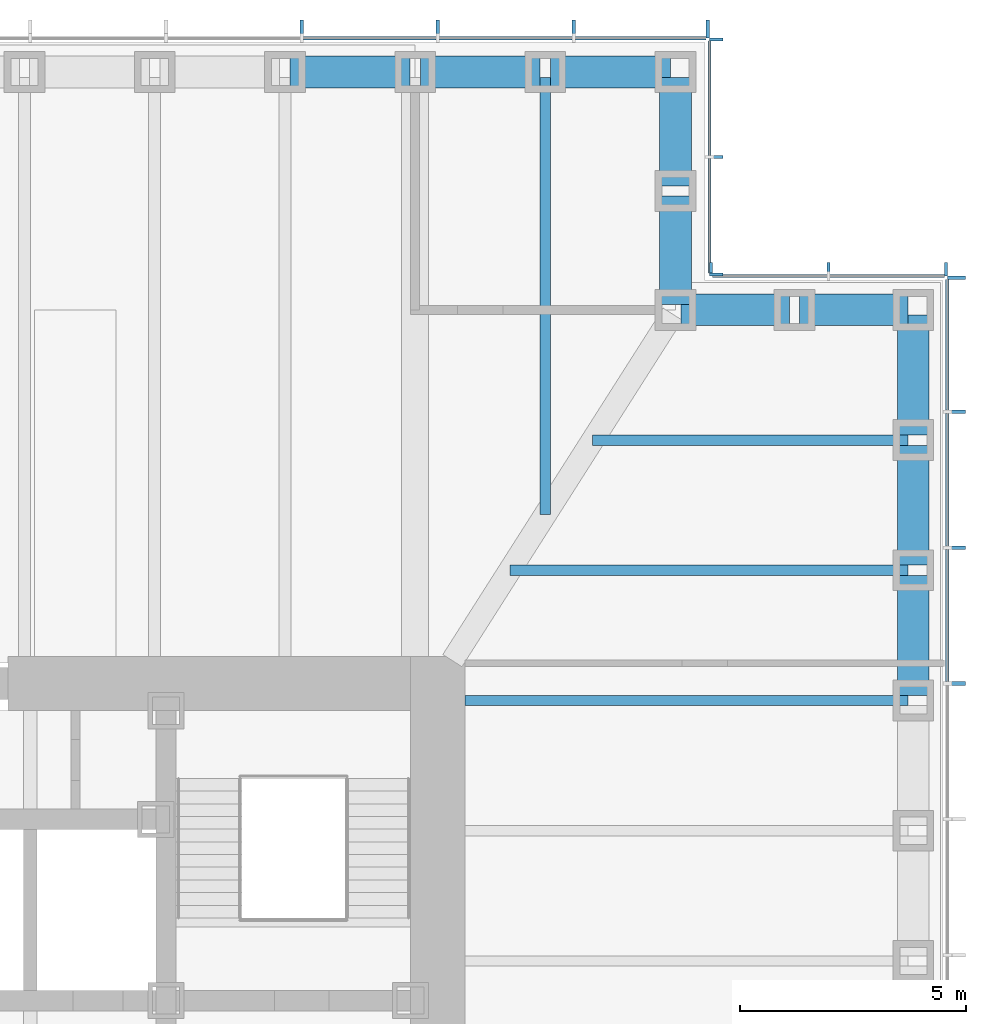
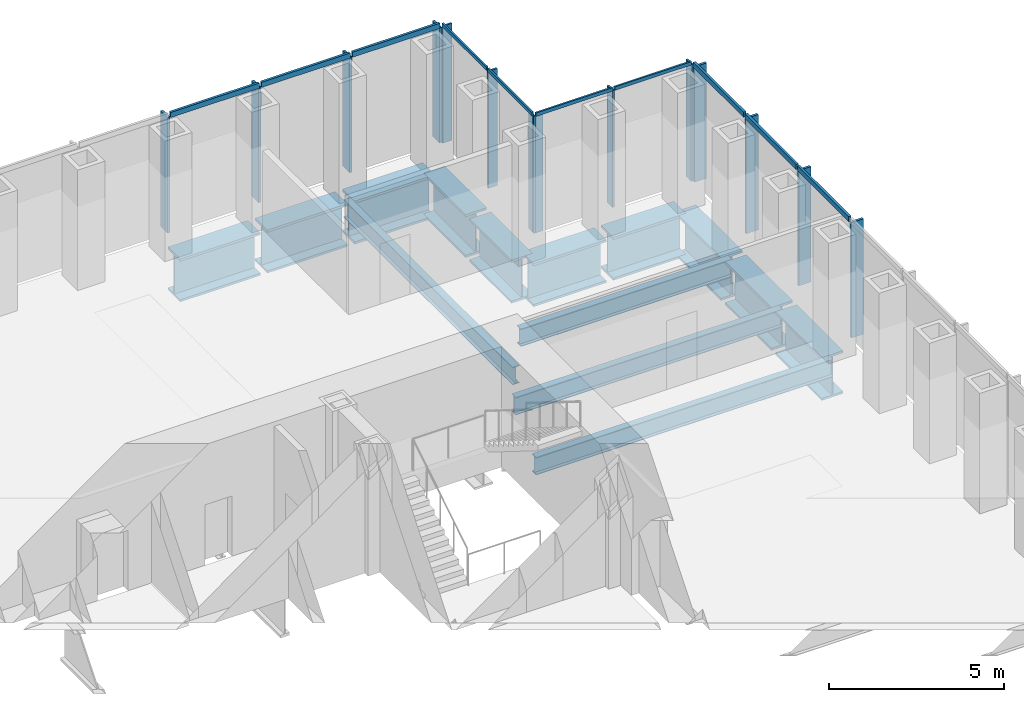
# One storey, part 6 of 16: 24 members, 14 beams, 4 elements without a shape of their own.
"""IFC4 building model written with IfcOpenShell, lengths in metres."""

from ifc_helpers import new_model, si_unit, direction, frame, origin, origin_2d, place, context, subcontext, project, spatial, rectangle, i_section, extrude, material, material_profile, profile_set, type_object, element, aggregate, save


model = new_model("IFC4")

# Units and contexts
model_context = context("Model", 3, precision=1e-05, world=origin(), true_north=direction((0.0, 1.0)))
body_context = subcontext(model_context, "Body", "Model", "MODEL_VIEW")
ifc_project = project(units=[si_unit("LENGTHUNIT", "METRE"), si_unit("AREAUNIT", "SQUARE_METRE"), si_unit("VOLUMEUNIT", "CUBIC_METRE"), si_unit("PLANEANGLEUNIT", "RADIAN"), si_unit("MASSUNIT", "GRAM", prefix="KILO")], contexts=[model_context])

# Site, building, storey
site_placement = place(None, origin())
site = spatial("IfcSite", under=ifc_project, at=site_placement, CompositionType="ELEMENT")
building_placement = place(site_placement, origin())
building = spatial("IfcBuilding", under=site, at=building_placement, Name="Daluyong Arena Tower", CompositionType="ELEMENT")
storey_placement = place(building_placement, frame((0.0, 0.0, 120.699951171875)))
storey = spatial("IfcBuildingStorey", under=building, at=storey_placement, Name="L26", CompositionType="ELEMENT", Elevation=120.699951171875)

# Curtain wall, members
ifc_material_1 = material(Name="Bronze anodised aluminium and glass", Category="aluminium")
curtain_wall_type_1 = type_object("IfcCurtainWallType", Name="Curtain wall CW2", PredefinedType="USERDEFINED", material=ifc_material_1)
curtain_wall_1_placement = place(storey_placement, origin())
curtain_wall_1 = element("IfcCurtainWall", 1, at=curtain_wall_1_placement, inside=storey, type_object=curtain_wall_type_1, Name="curtain wall L26 E", ObjectType="UNITISED CURTAIN WALL", PredefinedType="USERDEFINED")
ifc_material_2 = material(Name="Bronze anodised aluminium fin", Category="aluminium")
ifc_material_profile_1 = material_profile(ifc_material_2, rectangle(XDim=0.39990234375, YDim=0.080078125, at=origin_2d()))
ifc_profile_set_1 = profile_set([ifc_material_profile_1], Name="Bronze anodised aluminium fin")
member_type_1 = type_object("IfcMemberType", Name="CW2 bronze fin 400x80", PredefinedType="MULLION", material=ifc_profile_set_1)
member_1_placement = place(storey_placement, frame((79.449951171875, 89.0, 0.0), z_axis=(0.0, 0.0, 1.0), x_axis=(-1.0, 0.0, 0.0)))
member_1 = element("IfcMember", 2, at=member_1_placement, type_object=member_type_1, Name="curtain wall L26 E fin 10", PredefinedType="MULLION", context=body_context, shape_type="SweptSolid", body=[
    extrude(rectangle(XDim=0.39990234375, YDim=0.080078125, at=origin_2d()), origin(), (0.0, 0.0, 1.0), 4.02001953125),
])
member_2_placement = place(storey_placement, frame((79.449951171875, 92.0, 0.0), z_axis=(0.0, 0.0, 1.0), x_axis=(-1.0, 0.0, 0.0)))
member_2 = element("IfcMember", 3, at=member_2_placement, type_object=member_type_1, Name="curtain wall L26 E fin 11", PredefinedType="MULLION", context=body_context, shape_type="SweptSolid", body=[
    extrude(rectangle(XDim=0.39990234375, YDim=0.080078125, at=origin_2d()), origin(), (0.0, 0.0, 1.0), 4.02001953125),
])
member_3_placement = place(storey_placement, frame((79.449951171875, 95.0, 0.0), z_axis=(0.0, 0.0, 1.0), x_axis=(-1.0, 0.0, 0.0)))
member_3 = element("IfcMember", 4, at=member_3_placement, type_object=member_type_1, Name="curtain wall L26 E fin 12", PredefinedType="MULLION", context=body_context, shape_type="SweptSolid", body=[
    extrude(rectangle(XDim=0.39990234375, YDim=0.080078125, at=origin_2d()), origin(), (0.0, 0.0, 1.0), 4.02001953125),
])
member_4_placement = place(storey_placement, frame((79.449951171875, 97.9599609375, 0.0), z_axis=(0.0, 0.0, 1.0), x_axis=(-1.0, 0.0, 0.0)))
member_4 = element("IfcMember", 5, at=member_4_placement, type_object=member_type_1, Name="curtain wall L26 E fin 13", PredefinedType="MULLION", context=body_context, shape_type="SweptSolid", body=[
    extrude(rectangle(XDim=0.39990234375, YDim=0.080078125, at=origin_2d()), origin(), (0.0, 0.0, 1.0), 4.02001953125),
])

curtain_wall_2_placement = place(storey_placement, origin())
curtain_wall_2 = element("IfcCurtainWall", 6, at=curtain_wall_2_placement, inside=storey, type_object=curtain_wall_type_1, Name="curtain wall L26 N", ObjectType="UNITISED CURTAIN WALL", PredefinedType="USERDEFINED")
member_5_placement = place(storey_placement, frame((73.9599609375, 103.449951171875, 0.0), z_axis=(0.0, 0.0, 1.0), x_axis=(0.0, -1.0, 0.0)))
member_5 = element("IfcMember", 7, at=member_5_placement, type_object=member_type_1, Name="curtain wall L26 N fin 1", PredefinedType="MULLION", context=body_context, shape_type="SweptSolid", body=[
    extrude(rectangle(XDim=0.39990234375, YDim=0.080078125, at=origin_2d()), origin(), (0.0, 0.0, 1.0), 4.02001953125),
])
member_6_placement = place(storey_placement, frame((71.0, 103.449951171875, 0.0), z_axis=(0.0, 0.0, 1.0), x_axis=(0.0, -1.0, 0.0)))
member_6 = element("IfcMember", 8, at=member_6_placement, type_object=member_type_1, Name="curtain wall L26 N fin 2", PredefinedType="MULLION", context=body_context, shape_type="SweptSolid", body=[
    extrude(rectangle(XDim=0.39990234375, YDim=0.080078125, at=origin_2d()), origin(), (0.0, 0.0, 1.0), 4.02001953125),
])
member_7_placement = place(storey_placement, frame((68.0, 103.449951171875, 0.0), z_axis=(0.0, 0.0, 1.0), x_axis=(0.0, -1.0, 0.0)))
member_7 = element("IfcMember", 9, at=member_7_placement, type_object=member_type_1, Name="curtain wall L26 N fin 3", PredefinedType="MULLION", context=body_context, shape_type="SweptSolid", body=[
    extrude(rectangle(XDim=0.39990234375, YDim=0.080078125, at=origin_2d()), origin(), (0.0, 0.0, 1.0), 4.02001953125),
])
member_8_placement = place(storey_placement, frame((65.0, 103.449951171875, 0.0), z_axis=(0.0, 0.0, 1.0), x_axis=(0.0, -1.0, 0.0)))
member_8 = element("IfcMember", 10, at=member_8_placement, type_object=member_type_1, Name="curtain wall L26 N fin 4", PredefinedType="MULLION", context=body_context, shape_type="SweptSolid", body=[
    extrude(rectangle(XDim=0.39990234375, YDim=0.080078125, at=origin_2d()), origin(), (0.0, 0.0, 1.0), 4.02001953125),
])

# Member
ifc_material_3 = material(Name="Bronze anodised aluminium", Category="aluminium")
ifc_material_profile_2 = material_profile(ifc_material_3, rectangle(XDim=0.080078125, YDim=0.179931640625, at=origin_2d()))
ifc_profile_set_2 = profile_set([ifc_material_profile_2], Name="Bronze anodised aluminium")
member_type_2 = type_object("IfcMemberType", Name="CW2 stack transom 180x80", PredefinedType="USERDEFINED", material=ifc_profile_set_2)
member_9_placement = place(storey_placement, frame((79.25, 89.0400390625, 4.110107421875), z_axis=(0.0, 1.0, 0.0), x_axis=(-1.0, 0.0, 0.0)))
member_9 = element("IfcMember", 11, at=member_9_placement, type_object=member_type_2, Name="curtain wall L26 E transom 10", ObjectType="TRANSOM", PredefinedType="USERDEFINED", context=body_context, shape_type="SweptSolid", body=[
    extrude(rectangle(XDim=0.080078125, YDim=0.179931640625, at=origin_2d()), origin(), (0.0, 0.0, 1.0), 2.919921875),
])

member_10_placement = place(storey_placement, frame((79.25, 92.0400390625, 4.110107421875), z_axis=(0.0, 1.0, 0.0), x_axis=(-1.0, 0.0, 0.0)))
member_10 = element("IfcMember", 12, at=member_10_placement, type_object=member_type_2, Name="curtain wall L26 E transom 11", ObjectType="TRANSOM", PredefinedType="USERDEFINED", context=body_context, shape_type="SweptSolid", body=[
    extrude(rectangle(XDim=0.080078125, YDim=0.179931640625, at=origin_2d()), origin(), (0.0, 0.0, 1.0), 2.919921875),
])

member_11_placement = place(storey_placement, frame((79.25, 95.0400390625, 4.110107421875), z_axis=(0.0, 1.0, 0.0), x_axis=(-1.0, 0.0, 0.0)))
member_11 = element("IfcMember", 13, at=member_11_placement, type_object=member_type_2, Name="curtain wall L26 E transom 12", ObjectType="TRANSOM", PredefinedType="USERDEFINED", context=body_context, shape_type="SweptSolid", body=[
    extrude(rectangle(XDim=0.080078125, YDim=0.179931640625, at=origin_2d()), origin(), (0.0, 0.0, 1.0), 2.8798828125),
])

aggregate(curtain_wall_1, [member_1, member_2, member_3, member_4, member_9, member_10, member_11])

member_12_placement = place(storey_placement, frame((73.919921875, 103.25, 4.110107421875), z_axis=(-1.0, 0.0, 0.0), x_axis=(0.0, -1.0, 0.0)))
member_12 = element("IfcMember", 14, at=member_12_placement, type_object=member_type_2, Name="curtain wall L26 N transom 1", ObjectType="TRANSOM", PredefinedType="USERDEFINED", context=body_context, shape_type="SweptSolid", body=[
    extrude(rectangle(XDim=0.080078125, YDim=0.179931640625, at=origin_2d()), origin(), (0.0, 0.0, 1.0), 2.8798828125),
])

member_13_placement = place(storey_placement, frame((70.9599609375, 103.25, 4.110107421875), z_axis=(-1.0, 0.0, 0.0), x_axis=(0.0, -1.0, 0.0)))
member_13 = element("IfcMember", 15, at=member_13_placement, type_object=member_type_2, Name="curtain wall L26 N transom 2", ObjectType="TRANSOM", PredefinedType="USERDEFINED", context=body_context, shape_type="SweptSolid", body=[
    extrude(rectangle(XDim=0.080078125, YDim=0.179931640625, at=origin_2d()), origin(), (0.0, 0.0, 1.0), 2.919921875),
])

member_14_placement = place(storey_placement, frame((67.9599609375, 103.25, 4.110107421875), z_axis=(-1.0, 0.0, 0.0), x_axis=(0.0, -1.0, 0.0)))
member_14 = element("IfcMember", 16, at=member_14_placement, type_object=member_type_2, Name="curtain wall L26 N transom 3", ObjectType="TRANSOM", PredefinedType="USERDEFINED", context=body_context, shape_type="SweptSolid", body=[
    extrude(rectangle(XDim=0.080078125, YDim=0.179931640625, at=origin_2d()), origin(), (0.0, 0.0, 1.0), 2.919921875),
])

aggregate(curtain_wall_2, [member_5, member_6, member_7, member_8, member_12, member_13, member_14])

# Curtain wall, members
ifc_material_4 = material(Name="Bronze anodised aluminium and glass", Category="aluminium")
curtain_wall_type_2 = type_object("IfcCurtainWallType", Name="Curtain wall CW7", PredefinedType="USERDEFINED", material=ifc_material_4)
curtain_wall_3_placement = place(storey_placement, origin())
curtain_wall_3 = element("IfcCurtainWall", 17, at=curtain_wall_3_placement, inside=storey, type_object=curtain_wall_type_2, Name="curtain wall L26 NE-N", ObjectType="UNITISED CURTAIN WALL", PredefinedType="USERDEFINED")
ifc_material_5 = material(Name="Bronze anodised aluminium fin", Category="aluminium")
ifc_material_profile_3 = material_profile(ifc_material_5, rectangle(XDim=0.300048828125, YDim=0.06005859375, at=origin_2d()))
ifc_profile_set_3 = profile_set([ifc_material_profile_3], Name="Bronze anodised aluminium fin")
member_type_3 = type_object("IfcMemberType", Name="CW7 bronze fin 300x60", PredefinedType="MULLION", material=ifc_profile_set_3)
member_15_placement = place(storey_placement, frame((79.219970703125, 98.14990234375, 0.0), z_axis=(0.0, 0.0, 1.0), x_axis=(0.0, -1.0, 0.0)))
member_15 = element("IfcMember", 18, at=member_15_placement, type_object=member_type_3, Name="curtain wall L26 NE-N fin 1", PredefinedType="MULLION", context=body_context, shape_type="SweptSolid", body=[
    extrude(rectangle(XDim=0.300048828125, YDim=0.06005859375, at=origin_2d()), origin(), (0.0, 0.0, 1.0), 4.080078125),
])
member_16_placement = place(storey_placement, frame((76.625, 98.14990234375, 0.0), z_axis=(0.0, 0.0, 1.0), x_axis=(0.0, -1.0, 0.0)))
member_16 = element("IfcMember", 19, at=member_16_placement, type_object=member_type_3, Name="curtain wall L26 NE-N fin 2", PredefinedType="MULLION", context=body_context, shape_type="SweptSolid", body=[
    extrude(rectangle(XDim=0.300048828125, YDim=0.06005859375, at=origin_2d()), origin(), (0.0, 0.0, 1.0), 4.080078125),
])
member_17_placement = place(storey_placement, frame((74.030029296875, 98.14990234375, 0.0), z_axis=(0.0, 0.0, 1.0), x_axis=(0.0, -1.0, 0.0)))
member_17 = element("IfcMember", 20, at=member_17_placement, type_object=member_type_3, Name="curtain wall L26 NE-N fin 3", PredefinedType="MULLION", context=body_context, shape_type="SweptSolid", body=[
    extrude(rectangle(XDim=0.300048828125, YDim=0.06005859375, at=origin_2d()), origin(), (0.0, 0.0, 1.0), 4.080078125),
])

curtain_wall_4_placement = place(storey_placement, origin())
curtain_wall_4 = element("IfcCurtainWall", 21, at=curtain_wall_4_placement, inside=storey, type_object=curtain_wall_type_2, Name="curtain wall L26 NE-E", ObjectType="UNITISED CURTAIN WALL", PredefinedType="USERDEFINED")
member_18_placement = place(storey_placement, frame((74.14990234375, 98.030029296875, 0.0), z_axis=(0.0, 0.0, 1.0), x_axis=(-1.0, 0.0, 0.0)))
member_18 = element("IfcMember", 22, at=member_18_placement, type_object=member_type_3, Name="curtain wall L26 NE-E fin 1", PredefinedType="MULLION", context=body_context, shape_type="SweptSolid", body=[
    extrude(rectangle(XDim=0.300048828125, YDim=0.06005859375, at=origin_2d()), origin(), (0.0, 0.0, 1.0), 4.080078125),
])
member_19_placement = place(storey_placement, frame((74.14990234375, 100.625, 0.0), z_axis=(0.0, 0.0, 1.0), x_axis=(-1.0, 0.0, 0.0)))
member_19 = element("IfcMember", 23, at=member_19_placement, type_object=member_type_3, Name="curtain wall L26 NE-E fin 2", PredefinedType="MULLION", context=body_context, shape_type="SweptSolid", body=[
    extrude(rectangle(XDim=0.300048828125, YDim=0.06005859375, at=origin_2d()), origin(), (0.0, 0.0, 1.0), 4.080078125),
])
member_20_placement = place(storey_placement, frame((74.14990234375, 103.219970703125, 0.0), z_axis=(0.0, 0.0, 1.0), x_axis=(-1.0, 0.0, 0.0)))
member_20 = element("IfcMember", 24, at=member_20_placement, type_object=member_type_3, Name="curtain wall L26 NE-E fin 3", PredefinedType="MULLION", context=body_context, shape_type="SweptSolid", body=[
    extrude(rectangle(XDim=0.300048828125, YDim=0.06005859375, at=origin_2d()), origin(), (0.0, 0.0, 1.0), 4.080078125),
])

# Member
ifc_material_6 = material(Name="Bronze anodised aluminium", Category="aluminium")
ifc_material_profile_4 = material_profile(ifc_material_6, rectangle(XDim=0.06005859375, YDim=0.1201171875, at=origin_2d()))
ifc_profile_set_4 = profile_set([ifc_material_profile_4], Name="Bronze anodised aluminium")
member_type_4 = type_object("IfcMemberType", Name="CW7 stack transom 120x60", PredefinedType="USERDEFINED", material=ifc_profile_set_4)
member_21_placement = place(storey_placement, frame((79.18994140625, 98.0, 4.14013671875), z_axis=(-1.0, 0.0, 0.0), x_axis=(0.0, -1.0, 0.0)))
member_21 = element("IfcMember", 25, at=member_21_placement, type_object=member_type_4, Name="curtain wall L26 NE-N transom 1", ObjectType="TRANSOM", PredefinedType="USERDEFINED", context=body_context, shape_type="SweptSolid", body=[
    extrude(rectangle(XDim=0.06005859375, YDim=0.1201171875, at=origin_2d()), origin(), (0.0, 0.0, 1.0), 2.534912109375),
])

member_22_placement = place(storey_placement, frame((76.594970703125, 98.0, 4.14013671875), z_axis=(-1.0, 0.0, 0.0), x_axis=(0.0, -1.0, 0.0)))
member_22 = element("IfcMember", 26, at=member_22_placement, type_object=member_type_4, Name="curtain wall L26 NE-N transom 2", ObjectType="TRANSOM", PredefinedType="USERDEFINED", context=body_context, shape_type="SweptSolid", body=[
    extrude(rectangle(XDim=0.06005859375, YDim=0.1201171875, at=origin_2d()), origin(), (0.0, 0.0, 1.0), 2.534912109375),
])

aggregate(curtain_wall_3, [member_15, member_16, member_17, member_21, member_22])

member_23_placement = place(storey_placement, frame((74.0, 98.06005859375, 4.14013671875), z_axis=(0.0, 1.0, 0.0), x_axis=(-1.0, 0.0, 0.0)))
member_23 = element("IfcMember", 27, at=member_23_placement, type_object=member_type_4, Name="curtain wall L26 NE-E transom 1", ObjectType="TRANSOM", PredefinedType="USERDEFINED", context=body_context, shape_type="SweptSolid", body=[
    extrude(rectangle(XDim=0.06005859375, YDim=0.1201171875, at=origin_2d()), origin(), (0.0, 0.0, 1.0), 2.534912109375),
])

member_24_placement = place(storey_placement, frame((74.0, 100.655029296875, 4.14013671875), z_axis=(0.0, 1.0, 0.0), x_axis=(-1.0, 0.0, 0.0)))
member_24 = element("IfcMember", 28, at=member_24_placement, type_object=member_type_4, Name="curtain wall L26 NE-E transom 2", ObjectType="TRANSOM", PredefinedType="USERDEFINED", context=body_context, shape_type="SweptSolid", body=[
    extrude(rectangle(XDim=0.06005859375, YDim=0.1201171875, at=origin_2d()), origin(), (0.0, 0.0, 1.0), 2.534912109375),
])

aggregate(curtain_wall_4, [member_18, member_19, member_20, member_23, member_24])

# Beams
ifc_material_7 = material(Name="Steel ASTM A992 Grade 50", Category="steel")
ifc_material_profile_5 = material_profile(ifc_material_7, i_section(OverallWidth=0.22900390625, OverallDepth=0.612060546875, WebThickness=0.011962890625, FlangeThickness=0.01953125, at=origin_2d()))
ifc_profile_set_5 = profile_set([ifc_material_profile_5], Name="Steel ASTM A992 Grade 50")
beam_type_1 = type_object("IfcBeamType", Name="Floor beam W24X84", PredefinedType="BEAM", material=ifc_profile_set_5)
beam_1_placement = place(storey_placement, frame((78.385009765625, 88.625, -0.466064453125), z_axis=(-1.0, 0.0, 0.0), x_axis=(0.0, -1.0, 0.0)))
element("IfcBeam", 29, at=beam_1_placement, inside=storey, type_object=beam_type_1, Name="floor beam FB3", PredefinedType="BEAM", context=body_context, shape_type="SweptSolid", body=[
    extrude(i_section(OverallWidth=0.22900390625, OverallDepth=0.612060546875, WebThickness=0.011962890625, FlangeThickness=0.01953125, at=origin_2d()), origin(), (0.0, 0.0, 1.0), 9.784912109375),
])
beam_2_placement = place(storey_placement, frame((78.385009765625, 91.5, -0.466064453125), z_axis=(-1.0, 0.0, 0.0), x_axis=(0.0, -1.0, 0.0)))
element("IfcBeam", 30, at=beam_2_placement, inside=storey, type_object=beam_type_1, Name="floor beam FB3", PredefinedType="BEAM", context=body_context, shape_type="SweptSolid", body=[
    extrude(i_section(OverallWidth=0.22900390625, OverallDepth=0.612060546875, WebThickness=0.011962890625, FlangeThickness=0.01953125, at=origin_2d()), origin(), (0.0, 0.0, 1.0), 8.794189453125),
])
beam_3_placement = place(storey_placement, frame((78.385009765625, 94.375, -0.466064453125), z_axis=(-1.0, 0.0, 0.0), x_axis=(0.0, -1.0, 0.0)))
element("IfcBeam", 31, at=beam_3_placement, inside=storey, type_object=beam_type_1, Name="floor beam FB3", PredefinedType="BEAM", context=body_context, shape_type="SweptSolid", body=[
    extrude(i_section(OverallWidth=0.22900390625, OverallDepth=0.612060546875, WebThickness=0.011962890625, FlangeThickness=0.01953125, at=origin_2d()), origin(), (0.0, 0.0, 1.0), 6.964599609375),
])
beam_4_placement = place(storey_placement, frame((70.375, 102.385009765625, -0.466064453125), z_axis=(0.0, -1.0, 0.0), x_axis=(1.0, 0.0, 0.0)))
element("IfcBeam", 32, at=beam_4_placement, inside=storey, type_object=beam_type_1, Name="floor beam FB3", PredefinedType="BEAM", context=body_context, shape_type="SweptSolid", body=[
    extrude(i_section(OverallWidth=0.22900390625, OverallDepth=0.612060546875, WebThickness=0.011962890625, FlangeThickness=0.01953125, at=origin_2d()), origin(), (0.0, 0.0, 1.0), 9.65283203125),
])
ifc_material_8 = material(Name="Steel ASTM A572 Grade 50", Category="steel")
ifc_material_profile_6 = material_profile(ifc_material_8, i_section(OverallWidth=0.699951171875, OverallDepth=1.5, WebThickness=0.04, FlangeThickness=0.08, at=origin_2d()))
ifc_profile_set_6 = profile_set([ifc_material_profile_6], Name="Steel ASTM A572 Grade 50")
beam_type_2 = type_object("IfcBeamType", Name="Spandrel Z2 PG1500X700", PredefinedType="SPANDREL", material=ifc_profile_set_6)
for number, where, z_axis, x_axis, name in (
    (33, (78.5, 88.739990234375, -0.909912109375), (0.0, 1.0, 0.0), (-1.0, 0.0, 0.0), "spandrel z2 SB6"),
    (34, (78.5, 91.614990234375, -0.909912109375), (0.0, 1.0, 0.0), (-1.0, 0.0, 0.0), "spandrel z2 SB6"),
    (35, (78.5, 94.489990234375, -0.909912109375), (0.0, 1.0, 0.0), (-1.0, 0.0, 0.0), "spandrel z2 SB6"),
):
    element("IfcBeam", number, at=place(storey_placement, frame(where, z_axis=z_axis, x_axis=x_axis)), inside=storey, type_object=beam_type_2, Name=name, PredefinedType="SPANDREL", context=body_context, shape_type="SweptSolid", body=[
        extrude(i_section(OverallWidth=0.699951171875, OverallDepth=1.5, WebThickness=0.04, FlangeThickness=0.08, at=origin_2d()), origin(), (0.0, 0.0, 1.0), 2.64501953125),
    ])
for number, where, z_axis, x_axis, name in (
    (36, (78.385009765625, 97.25, -0.909912109375), (-1.0, 0.0, 0.0), (0.0, -1.0, 0.0), "spandrel z2 SB6"),
    (37, (75.760009765625, 97.25, -0.909912109375), (-1.0, 0.0, 0.0), (0.0, -1.0, 0.0), "spandrel z2 SB6"),
    (38, (73.25, 97.364990234375, -0.909912109375), (0.0, 1.0, 0.0), (-1.0, 0.0, 0.0), "spandrel z2 SB6"),
    (39, (73.25, 99.989990234375, -0.909912109375), (0.0, 1.0, 0.0), (-1.0, 0.0, 0.0), "spandrel z2 SB6"),
):
    element("IfcBeam", number, at=place(storey_placement, frame(where, z_axis=z_axis, x_axis=x_axis)), inside=storey, type_object=beam_type_2, Name=name, PredefinedType="SPANDREL", context=body_context, shape_type="SweptSolid", body=[
        extrude(i_section(OverallWidth=0.699951171875, OverallDepth=1.5, WebThickness=0.04, FlangeThickness=0.08, at=origin_2d()), origin(), (0.0, 0.0, 1.0), 2.39501953125),
    ])
for number, where, z_axis, x_axis, name in (
    (40, (73.135009765625, 102.5, -0.909912109375), (-1.0, 0.0, 0.0), (0.0, -1.0, 0.0), "spandrel z2 SB6"),
    (41, (70.260009765625, 102.5, -0.909912109375), (-1.0, 0.0, 0.0), (0.0, -1.0, 0.0), "spandrel z2 SB6"),
    (42, (67.385009765625, 102.5, -0.909912109375), (-1.0, 0.0, 0.0), (0.0, -1.0, 0.0), "spandrel z2 SB6"),
):
    element("IfcBeam", number, at=place(storey_placement, frame(where, z_axis=z_axis, x_axis=x_axis)), inside=storey, type_object=beam_type_2, Name=name, PredefinedType="SPANDREL", context=body_context, shape_type="SweptSolid", body=[
        extrude(i_section(OverallWidth=0.699951171875, OverallDepth=1.5, WebThickness=0.04, FlangeThickness=0.08, at=origin_2d()), origin(), (0.0, 0.0, 1.0), 2.64501953125),
    ])

save(model, "model.ifc")
